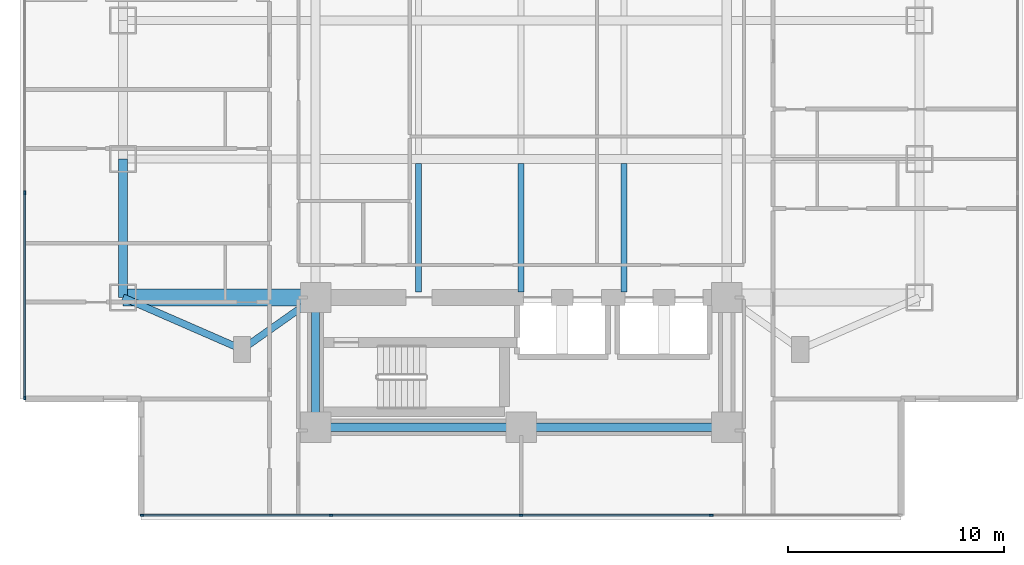
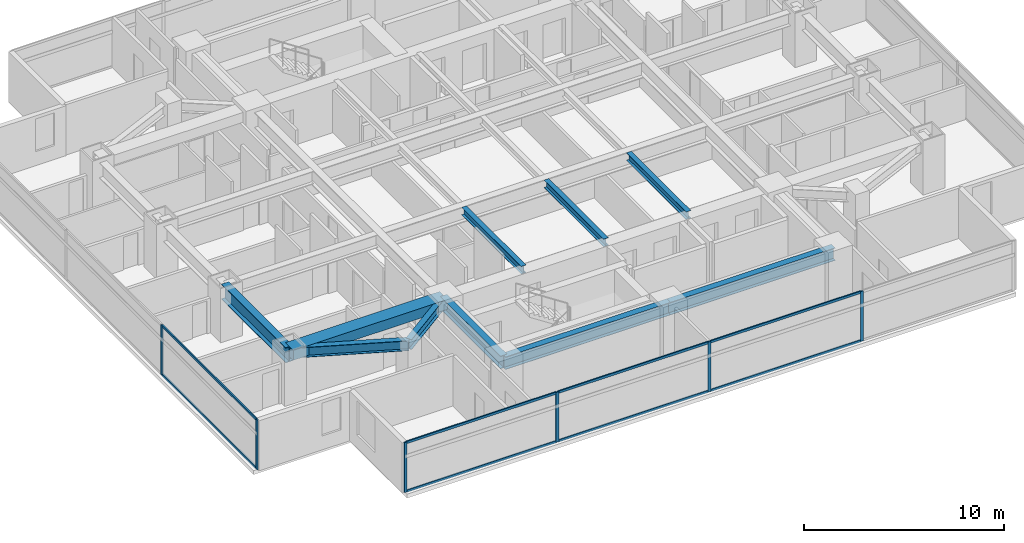
# One storey, part 2 of 26: 14 members, 10 beams, 2 elements without a shape of their own.
"""IFC4 building model written with IfcOpenShell, lengths in metres."""

from ifc_helpers import new_model, si_unit, direction, frame, origin, origin_2d, place, context, subcontext, project, spatial, rectangle, i_section, extrude, material, material_profile, profile_set, type_object, element, aggregate, save


model = new_model("IFC4")

# Units and contexts
model_context = context("Model", 3, precision=1e-05, world=origin(), true_north=direction((0.0, 1.0)))
body_context = subcontext(model_context, "Body", "Model", "MODEL_VIEW")
ifc_project = project(units=[si_unit("LENGTHUNIT", "METRE"), si_unit("AREAUNIT", "SQUARE_METRE"), si_unit("VOLUMEUNIT", "CUBIC_METRE"), si_unit("PLANEANGLEUNIT", "RADIAN"), si_unit("MASSUNIT", "GRAM", prefix="KILO")], contexts=[model_context])

# Site, building, storey
site_placement = place(None, origin())
site = spatial("IfcSite", under=ifc_project, at=site_placement, CompositionType="ELEMENT")
building_placement = place(site_placement, origin())
building = spatial("IfcBuilding", under=site, at=building_placement, Name="Mirazonda Arch Towers", CompositionType="ELEMENT")
storey_placement = place(building_placement, frame((0.0, 0.0, 45.5)))
storey = spatial("IfcBuildingStorey", under=building, at=storey_placement, Name="L12", CompositionType="ELEMENT", Elevation=45.5)

# Beams
ifc_material_1 = material(Name="Steel ASTM A992 Grade 50", Category="steel")
ifc_material_profile_1 = material_profile(ifc_material_1, i_section(OverallWidth=0.41796875, OverallDepth=0.927001953125, WebThickness=0.019287109375, FlangeThickness=0.031982421875, at=origin_2d()), Name="W36X231")
ifc_profile_set_1 = profile_set([ifc_material_profile_1], Name="Steel ASTM A992 Grade 50")
beam_type_1 = type_object("IfcBeamType", Name="BM-EXT-W36X231", PredefinedType="USERDEFINED", material=ifc_profile_set_1)
beam_1_placement = place(storey_placement, frame((2.10009765625, 18.39990234375, 2.596435546875), z_axis=(0.0, 1.0, 0.0), x_axis=(-1.0, 0.0, 0.0)))
element("IfcBeam", 1, at=beam_1_placement, inside=storey, type_object=beam_type_1, Name="L12 Floor Beam BM-T1-L12-NS-W-18", ObjectType="GIRDER", PredefinedType="USERDEFINED", context=body_context, shape_type="SweptSolid", body=[
    extrude(i_section(OverallWidth=0.41796875, OverallDepth=0.927001953125, WebThickness=0.019287109375, FlangeThickness=0.031982421875, at=origin_2d()), origin(), (0.0, 0.0, 1.0), 6.400146484375),
])
ifc_material_profile_2 = material_profile(ifc_material_1, i_section(OverallWidth=0.280029296875, OverallDepth=0.462890625, WebThickness=0.0107421875, FlangeThickness=0.017333984375, at=origin_2d()), Name="W18X76")
ifc_profile_set_2 = profile_set([ifc_material_profile_2], Name="Steel ASTM A992 Grade 50")
beam_type_2 = type_object("IfcBeamType", Name="BM-INT-W18X76", PredefinedType="JOIST", material=ifc_profile_set_2)
for number, where, z_axis, x_axis, name in (
    (2, (15.75, 18.639892578125, 2.82861328125), (0.0, 1.0, 0.0), (-1.0, 0.0, 0.0), "L12 Floor Beam BM-T1-L12-J-157-18"),
    (3, (20.5, 18.639892578125, 2.82861328125), (0.0, 1.0, 0.0), (-1.0, 0.0, 0.0), "L12 Floor Beam BM-T1-L12-J-205-18"),
    (4, (25.25, 18.639892578125, 2.82861328125), (0.0, 1.0, 0.0), (-1.0, 0.0, 0.0), "L12 Floor Beam BM-T1-L12-J-252-18"),
):
    element("IfcBeam", number, at=place(storey_placement, frame(where, z_axis=z_axis, x_axis=x_axis)), inside=storey, type_object=beam_type_2, Name=name, PredefinedType="JOIST", context=body_context, shape_type="SweptSolid", body=[
        extrude(i_section(OverallWidth=0.280029296875, OverallDepth=0.462890625, WebThickness=0.0107421875, FlangeThickness=0.017333984375, at=origin_2d()), origin(), (0.0, 0.0, 1.0), 5.95263671875),
    ])
ifc_material_profile_3 = material_profile(ifc_material_1, i_section(OverallWidth=0.324951171875, OverallDepth=0.615966796875, WebThickness=0.013916015625, FlangeThickness=0.021484375, at=origin_2d()), Name="W24X117")
ifc_profile_set_3 = profile_set([ifc_material_profile_3], Name="Steel ASTM A992 Grade 50")
beam_type_3 = type_object("IfcBeamType", Name="BM-INT-W24X117", PredefinedType="BEAM", material=ifc_profile_set_3)
beam_2_placement = place(storey_placement, frame((7.60009765625, 16.0, 2.751953125), z_axis=(0.816971114901, 0.576678591087, 0.0), x_axis=(-0.576678591087, 0.816971114901, 0.0)))
element("IfcBeam", 5, at=beam_2_placement, inside=storey, type_object=beam_type_3, Name="L12 Floor Beam BM-T1-L12-PL-SW1", PredefinedType="BEAM", context=body_context, shape_type="SweptSolid", body=[
    extrude(i_section(OverallWidth=0.324951171875, OverallDepth=0.615966796875, WebThickness=0.013916015625, FlangeThickness=0.021484375, at=origin_2d()), origin(), (0.0, 0.0, 1.0), 4.16162109375),
])
beam_3_placement = place(storey_placement, frame((7.60009765625, 16.0, 2.751953125), z_axis=(-0.916545343703, 0.399930785183, 0.0), x_axis=(-0.399930785183, -0.916545343703, 0.0)))
element("IfcBeam", 6, at=beam_3_placement, inside=storey, type_object=beam_type_3, Name="L12 Floor Beam BM-T1-L12-PL-SW2", PredefinedType="BEAM", context=body_context, shape_type="SweptSolid", body=[
    extrude(i_section(OverallWidth=0.324951171875, OverallDepth=0.615966796875, WebThickness=0.013916015625, FlangeThickness=0.021484375, at=origin_2d()), origin(), (0.0, 0.0, 1.0), 6.000732421875),
])
ifc_material_profile_4 = material_profile(ifc_material_1, i_section(OverallWidth=0.381103515625, OverallDepth=0.77294921875, WebThickness=0.0166015625, FlangeThickness=0.027099609375, at=origin_2d()), Name="W30X173")
ifc_profile_set_4 = profile_set([ifc_material_profile_4], Name="Steel ASTM A992 Grade 50")
beam_type_4 = type_object("IfcBeamType", Name="BM-INT-W30X173", PredefinedType="USERDEFINED", material=ifc_profile_set_4)
for number, where, z_axis, x_axis, name in (
    (7, (11.0, 12.39990234375, 2.673583984375), (1.0, 0.0, 0.0), (0.0, 1.0, 0.0), "L12 Floor Beam BM-T1-L12-CS1"),
    (8, (20.5, 12.39990234375, 2.673583984375), (1.0, 0.0, 0.0), (0.0, 1.0, 0.0), "L12 Floor Beam BM-T1-L12-CS2"),
):
    element("IfcBeam", number, at=place(storey_placement, frame(where, z_axis=z_axis, x_axis=x_axis)), inside=storey, type_object=beam_type_4, Name=name, ObjectType="GIRDER", PredefinedType="USERDEFINED", context=body_context, shape_type="SweptSolid", body=[
        extrude(i_section(OverallWidth=0.381103515625, OverallDepth=0.77294921875, WebThickness=0.0166015625, FlangeThickness=0.027099609375, at=origin_2d()), origin(), (0.0, 0.0, 1.0), 9.5),
    ])
beam_4_placement = place(storey_placement, frame((11.0, 12.39990234375, 2.673583984375), z_axis=(0.0, 1.0, 0.0), x_axis=(-1.0, 0.0, 0.0)))
element("IfcBeam", 9, at=beam_4_placement, inside=storey, type_object=beam_type_4, Name="L12 Floor Beam BM-T1-L12-CSW", ObjectType="GIRDER", PredefinedType="USERDEFINED", context=body_context, shape_type="SweptSolid", body=[
    extrude(i_section(OverallWidth=0.381103515625, OverallDepth=0.77294921875, WebThickness=0.0166015625, FlangeThickness=0.027099609375, at=origin_2d()), origin(), (0.0, 0.0, 1.0), 6.0),
])
ifc_material_2 = material(Name="Concrete C60/75", Category="concrete")
ifc_material_profile_5 = material_profile(ifc_material_2, rectangle(XDim=0.800048828125, YDim=0.60009765625, at=origin_2d()), Name="RCCB800x600")
ifc_profile_set_5 = profile_set([ifc_material_profile_5], Name="Concrete C60/75")
beam_type_5 = type_object("IfcBeamType", Name="CB-INT-RCCB800x600", PredefinedType="SPANDREL", material=ifc_profile_set_5)
beam_5_placement = place(storey_placement, frame((2.10009765625, 18.39990234375, 2.760009765625), z_axis=(1.0, 0.0, 0.0), x_axis=(0.0, 1.0, 0.0)))
element("IfcBeam", 10, at=beam_5_placement, inside=storey, type_object=beam_type_5, Name="L12 Floor Beam CBC-T1-L12-SW", PredefinedType="SPANDREL", context=body_context, shape_type="SweptSolid", body=[
    extrude(rectangle(XDim=0.800048828125, YDim=0.60009765625, at=origin_2d()), origin(), (0.0, 0.0, 1.0), 8.89990234375),
])

# Curtain wall, members
ifc_material_3 = material(Name="Anodised Aluminium and Low-E Glass", Category="aluminium")
curtain_wall_type = type_object("IfcCurtainWallType", Name="CW-HTL-UNIT", PredefinedType="NOTDEFINED", material=ifc_material_3)
curtain_wall_1_placement = place(storey_placement, origin())
curtain_wall_1 = element("IfcCurtainWall", 11, at=curtain_wall_1_placement, inside=storey, type_object=curtain_wall_type, Name="L12 T1 S Facade CW-L12-T1-S", PredefinedType="NOTDEFINED")
ifc_material_4 = material(Name="Anodised Aluminium Alloy", Category="aluminium")
ifc_material_profile_6 = material_profile(ifc_material_4, rectangle(XDim=0.074951171875, YDim=0.1650390625, at=origin_2d()), Name="ALU-MULL-75x165")
ifc_profile_set_6 = profile_set([ifc_material_profile_6], Name="Anodised Aluminium Alloy")
member_type_1 = type_object("IfcMemberType", Name="MULL-CW-HTL-UNIT", PredefinedType="MULLION", material=ifc_profile_set_6)
member_1_placement = place(storey_placement, frame((29.280029296875, 8.333984375, 0.0), z_axis=(0.0, 0.0, 1.0), x_axis=(0.0, -1.0, 0.0)))
member_1 = element("IfcMember", 12, at=member_1_placement, type_object=member_type_1, Name="CW-112 mullion 2", PredefinedType="MULLION", context=body_context, shape_type="SweptSolid", body=[
    extrude(rectangle(XDim=0.074951171875, YDim=0.1650390625, at=origin_2d()), origin(), (0.0, 0.0, 1.0), 3.0400390625),
])
member_2_placement = place(storey_placement, frame((20.5, 8.333984375, 0.0), z_axis=(0.0, 0.0, 1.0), x_axis=(0.0, -1.0, 0.0)))
member_2 = element("IfcMember", 13, at=member_2_placement, type_object=member_type_1, Name="CW-112 mullion 3", PredefinedType="MULLION", context=body_context, shape_type="SweptSolid", body=[
    extrude(rectangle(XDim=0.074951171875, YDim=0.1650390625, at=origin_2d()), origin(), (0.0, 0.0, 1.0), 3.0400390625),
])
member_3_placement = place(storey_placement, frame((11.719970703125, 8.333984375, 0.0), z_axis=(0.0, 0.0, 1.0), x_axis=(0.0, -1.0, 0.0)))
member_3 = element("IfcMember", 14, at=member_3_placement, type_object=member_type_1, Name="CW-112 mullion 4", PredefinedType="MULLION", context=body_context, shape_type="SweptSolid", body=[
    extrude(rectangle(XDim=0.074951171875, YDim=0.1650390625, at=origin_2d()), origin(), (0.0, 0.0, 1.0), 3.0400390625),
])
member_4_placement = place(storey_placement, frame((2.9775390625, 8.333984375, 0.0), z_axis=(0.0, 0.0, 1.0), x_axis=(0.0, -1.0, 0.0)))
member_4 = element("IfcMember", 15, at=member_4_placement, type_object=member_type_1, Name="CW-112 mullion 5", PredefinedType="MULLION", context=body_context, shape_type="SweptSolid", body=[
    extrude(rectangle(XDim=0.074951171875, YDim=0.1650390625, at=origin_2d()), origin(), (0.0, 0.0, 1.0), 3.0400390625),
])

curtain_wall_2_placement = place(storey_placement, origin())
curtain_wall_2 = element("IfcCurtainWall", 16, at=curtain_wall_2_placement, inside=storey, type_object=curtain_wall_type, Name="L12 T1 W Facade CW-L12-T1-W", PredefinedType="NOTDEFINED")
member_5_placement = place(storey_placement, frame((-2.43994140625, 23.238037109375, 0.0), z_axis=(0.0, 0.0, 1.0), x_axis=(1.0, 0.0, 0.0)))
member_5 = element("IfcMember", 17, at=member_5_placement, type_object=member_type_1, Name="CW-112 mullion 3", PredefinedType="MULLION", context=body_context, shape_type="SweptSolid", body=[
    extrude(rectangle(XDim=0.074951171875, YDim=0.1650390625, at=origin_2d()), origin(), (0.0, 0.0, 1.0), 3.0400390625),
])
member_6_placement = place(storey_placement, frame((-2.43994140625, 13.75146484375, 0.0), z_axis=(0.0, 0.0, 1.0), x_axis=(1.0, 0.0, 0.0)))
member_6 = element("IfcMember", 18, at=member_6_placement, type_object=member_type_1, Name="CW-112 mullion 4", PredefinedType="MULLION", context=body_context, shape_type="SweptSolid", body=[
    extrude(rectangle(XDim=0.074951171875, YDim=0.1650390625, at=origin_2d()), origin(), (0.0, 0.0, 1.0), 3.0400390625),
])

# Member
ifc_material_profile_7 = material_profile(ifc_material_4, rectangle(XDim=0.074951171875, YDim=0.14501953125, at=origin_2d()), Name="ALU-TRAN-75x145")
ifc_profile_set_7 = profile_set([ifc_material_profile_7], Name="Anodised Aluminium Alloy")
member_type_2 = type_object("IfcMemberType", Name="TRAN-CW-HTL-UNIT", PredefinedType="USERDEFINED", material=ifc_profile_set_7)
member_7_placement = place(storey_placement, frame((29.242431640625, 8.333984375, 0.03759765625), z_axis=(-1.0, 0.0, 0.0), x_axis=(0.0, -1.0, 0.0)))
member_7 = element("IfcMember", 19, at=member_7_placement, type_object=member_type_2, Name="CW-112 transom 2.1", ObjectType="TRANSOM", PredefinedType="USERDEFINED", context=body_context, shape_type="SweptSolid", body=[
    extrude(rectangle(XDim=0.074951171875, YDim=0.14501953125, at=origin_2d()), origin(), (0.0, 0.0, 1.0), 8.704833984375),
])

member_8_placement = place(storey_placement, frame((29.242431640625, 8.333984375, 3.00244140625), z_axis=(-1.0, 0.0, 0.0), x_axis=(0.0, -1.0, 0.0)))
member_8 = element("IfcMember", 20, at=member_8_placement, type_object=member_type_2, Name="CW-112 transom 2.2", ObjectType="TRANSOM", PredefinedType="USERDEFINED", context=body_context, shape_type="SweptSolid", body=[
    extrude(rectangle(XDim=0.074951171875, YDim=0.14501953125, at=origin_2d()), origin(), (0.0, 0.0, 1.0), 8.704833984375),
])

member_9_placement = place(storey_placement, frame((20.46240234375, 8.333984375, 0.03759765625), z_axis=(-1.0, 0.0, 0.0), x_axis=(0.0, -1.0, 0.0)))
member_9 = element("IfcMember", 21, at=member_9_placement, type_object=member_type_2, Name="CW-112 transom 3.1", ObjectType="TRANSOM", PredefinedType="USERDEFINED", context=body_context, shape_type="SweptSolid", body=[
    extrude(rectangle(XDim=0.074951171875, YDim=0.14501953125, at=origin_2d()), origin(), (0.0, 0.0, 1.0), 8.704833984375),
])

member_10_placement = place(storey_placement, frame((20.46240234375, 8.333984375, 3.00244140625), z_axis=(-1.0, 0.0, 0.0), x_axis=(0.0, -1.0, 0.0)))
member_10 = element("IfcMember", 22, at=member_10_placement, type_object=member_type_2, Name="CW-112 transom 3.2", ObjectType="TRANSOM", PredefinedType="USERDEFINED", context=body_context, shape_type="SweptSolid", body=[
    extrude(rectangle(XDim=0.074951171875, YDim=0.14501953125, at=origin_2d()), origin(), (0.0, 0.0, 1.0), 8.704833984375),
])

member_11_placement = place(storey_placement, frame((11.6826171875, 8.333984375, 0.03759765625), z_axis=(-1.0, 0.0, 0.0), x_axis=(0.0, -1.0, 0.0)))
member_11 = element("IfcMember", 23, at=member_11_placement, type_object=member_type_2, Name="CW-112 transom 4.1", ObjectType="TRANSOM", PredefinedType="USERDEFINED", context=body_context, shape_type="SweptSolid", body=[
    extrude(rectangle(XDim=0.074951171875, YDim=0.14501953125, at=origin_2d()), origin(), (0.0, 0.0, 1.0), 8.667724609375),
])

member_12_placement = place(storey_placement, frame((11.6826171875, 8.333984375, 3.00244140625), z_axis=(-1.0, 0.0, 0.0), x_axis=(0.0, -1.0, 0.0)))
member_12 = element("IfcMember", 24, at=member_12_placement, type_object=member_type_2, Name="CW-112 transom 4.2", ObjectType="TRANSOM", PredefinedType="USERDEFINED", context=body_context, shape_type="SweptSolid", body=[
    extrude(rectangle(XDim=0.074951171875, YDim=0.14501953125, at=origin_2d()), origin(), (0.0, 0.0, 1.0), 8.667724609375),
])

aggregate(curtain_wall_1, [member_1, member_2, member_3, member_4, member_7, member_8, member_9, member_10, member_11, member_12])

member_13_placement = place(storey_placement, frame((-2.43994140625, 23.200439453125, 0.03759765625), z_axis=(0.0, -1.0, 0.0), x_axis=(1.0, 0.0, 0.0)))
member_13 = element("IfcMember", 25, at=member_13_placement, type_object=member_type_2, Name="CW-112 transom 3.1", ObjectType="TRANSOM", PredefinedType="USERDEFINED", context=body_context, shape_type="SweptSolid", body=[
    extrude(rectangle(XDim=0.074951171875, YDim=0.14501953125, at=origin_2d()), origin(), (0.0, 0.0, 1.0), 9.411376953125),
])

member_14_placement = place(storey_placement, frame((-2.43994140625, 23.200439453125, 3.00244140625), z_axis=(0.0, -1.0, 0.0), x_axis=(1.0, 0.0, 0.0)))
member_14 = element("IfcMember", 26, at=member_14_placement, type_object=member_type_2, Name="CW-112 transom 3.2", ObjectType="TRANSOM", PredefinedType="USERDEFINED", context=body_context, shape_type="SweptSolid", body=[
    extrude(rectangle(XDim=0.074951171875, YDim=0.14501953125, at=origin_2d()), origin(), (0.0, 0.0, 1.0), 9.411376953125),
])

aggregate(curtain_wall_2, [member_5, member_6, member_13, member_14])

save(model, "model.ifc")
